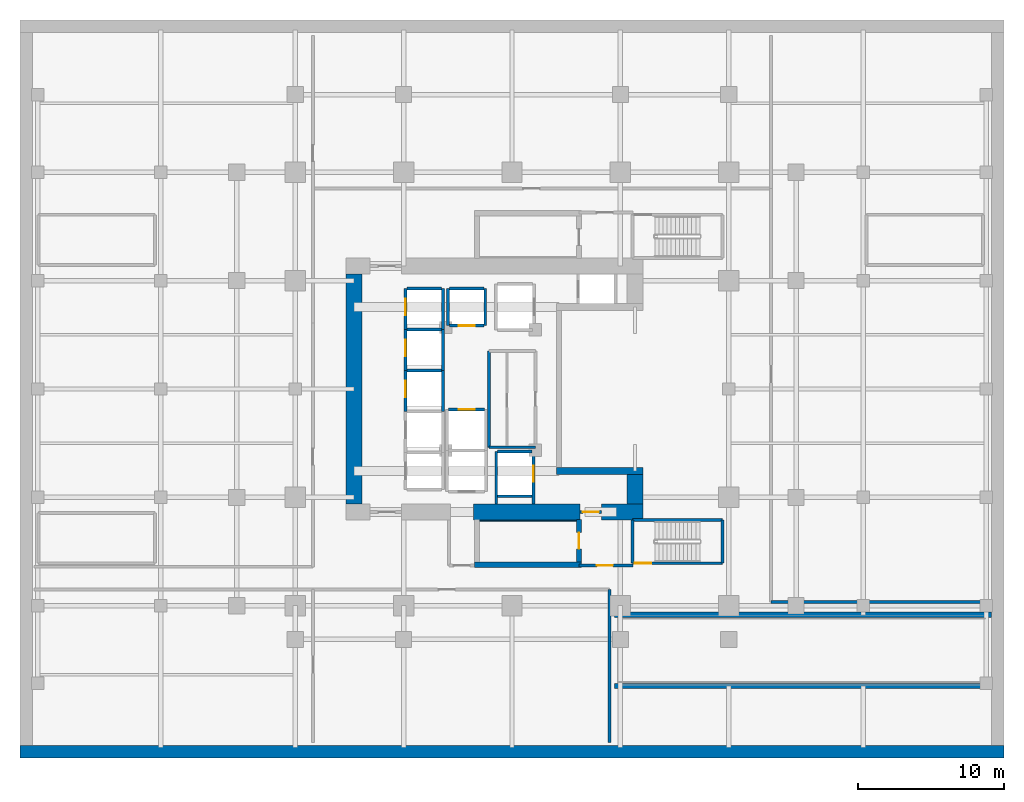
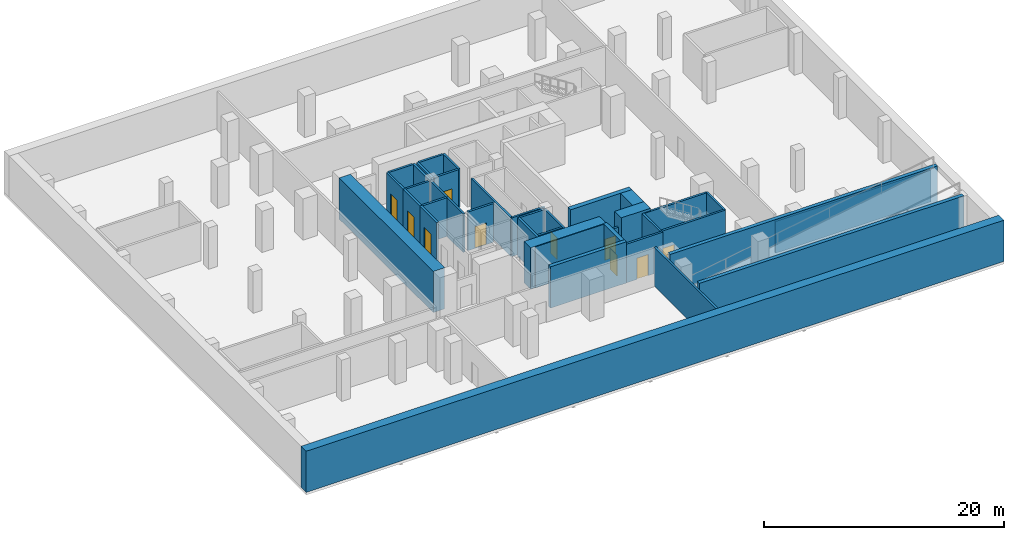
# One storey, part 4 of 7: 39 walls, 10 doors, 10 openings.
"""IFC4 building model written with IfcOpenShell, lengths in metres."""

from ifc_helpers import new_model, si_unit, direction, frame, frame_2d, origin, place, context, subcontext, project, spatial, rectangle, extrude, material, layer, layer_set, type_object, element, fill, save


model = new_model("IFC4")

# Units and contexts
model_context = context("Model", 3, precision=1e-05, world=origin(), true_north=direction((0.0, 1.0)))
body_context = subcontext(model_context, "Body", "Model", "MODEL_VIEW")
ifc_project = project(units=[si_unit("LENGTHUNIT", "METRE"), si_unit("AREAUNIT", "SQUARE_METRE"), si_unit("VOLUMEUNIT", "CUBIC_METRE"), si_unit("PLANEANGLEUNIT", "RADIAN"), si_unit("MASSUNIT", "GRAM", prefix="KILO")], contexts=[model_context])

# Site, building, storey
site_placement = place(None, origin())
site = spatial("IfcSite", under=ifc_project, at=site_placement, CompositionType="ELEMENT")
building_placement = place(site_placement, origin())
building = spatial("IfcBuilding", under=site, at=building_placement, Name="Khorvyn Point Tower", CompositionType="ELEMENT")
storey_placement = place(building_placement, frame((0.0, 0.0, -8.39990234375)))
storey = spatial("IfcBuildingStorey", under=building, at=storey_placement, Name="B2", CompositionType="ELEMENT", Elevation=-8.39990234375)

# Walls
ifc_material_1 = material(Name="Concrete C35/45", Category="concrete")
ifc_layer_1 = layer(ifc_material_1, 0.85009765625)
ifc_layer_set_1 = layer_set([ifc_layer_1], Name="Concrete C35/45 Basement Retaining Wall 850")
wall_type_1 = type_object("IfcWallType", Name="Concrete C35/45 Basement Retaining Wall 850", PredefinedType="SOLIDWALL", material=ifc_layer_set_1)
wall_1_placement = place(storey_placement, frame((-33.60009765625, -24.77490234375, 0.0), z_axis=(0.0, 0.0, 1.0), x_axis=(1.0, 0.0, 0.0)))
element("IfcWall", 1, at=wall_1_placement, inside=storey, type_object=wall_type_1, Name="B2 Basement Retaining Wall S", PredefinedType="SOLIDWALL", context=body_context, shape_type="SweptSolid", body=[
    extrude(rectangle(XDim=67.2001953125, YDim=0.85009765625, at=frame_2d((33.60009765625, 0.0))), origin(), (0.0, 0.0, 1.0), 4.199951171875),
])
ifc_material_2 = material(Name="Concrete C35/45 masonry blockwork", Category="masonry")
ifc_layer_2 = layer(ifc_material_2, 0.199951171875)
ifc_layer_set_2 = layer_set([ifc_layer_2], Name="Concrete C35/45 Blockwork Plant Compartment Wall 200")
wall_type_2 = type_object("IfcWallType", Name="Concrete C35/45 Blockwork Plant Compartment Wall 200", PredefinedType="SOLIDWALL", material=ifc_layer_set_2)
wall_2_placement = place(storey_placement, frame((17.699951171875, -14.550048828125, 0.0), z_axis=(0.0, 0.0, 1.0), x_axis=(1.0, 0.0, 0.0)))
element("IfcWall", 2, at=wall_2_placement, inside=storey, type_object=wall_type_2, Name="Wall", PredefinedType="SOLIDWALL", context=body_context, shape_type="SweptSolid", body=[
    extrude(rectangle(XDim=14.949951171875, YDim=0.199951171875, at=frame_2d((7.47509765625, 0.0))), origin(), (0.0, 0.0, 1.0), 3.22998046875),
])
wall_3_placement = place(storey_placement, frame((6.64990234375, -24.14990234375, 0.0), z_axis=(0.0, 0.0, 1.0), x_axis=(0.0, 1.0, 0.0)))
element("IfcWall", 3, at=wall_3_placement, inside=storey, type_object=wall_type_2, Name="Wall", PredefinedType="SOLIDWALL", context=body_context, shape_type="SweptSolid", body=[
    extrude(rectangle(XDim=10.449951171875, YDim=0.199951171875, at=frame_2d((5.22509765625, 0.0))), origin(), (0.0, 0.0, 1.0), 3.93994140625),
])
ifc_material_3 = material(Name="Concrete C40/50", Category="concrete")
ifc_layer_3 = layer(ifc_material_3, 0.449951171875)
ifc_layer_set_3 = layer_set([ifc_layer_3], Name="Concrete C40/50 Core Shear Wall 450")
wall_type_3 = type_object("IfcWallType", Name="Concrete C40/50 Core Shear Wall 450", PredefinedType="SHEAR", material=ifc_layer_set_3)
wall_4_placement = place(storey_placement, frame((3.044921875, -5.60009765625, 0.0), z_axis=(0.0, 0.0, 1.0), x_axis=(1.0, 0.0, 0.0)))
element("IfcWall", 4, at=wall_4_placement, inside=storey, type_object=wall_type_3, Name="Wall", PredefinedType="SHEAR", context=body_context, shape_type="SweptSolid", body=[
    extrude(rectangle(XDim=5.905029296875, YDim=0.449951171875, at=frame_2d((2.95263671875, 0.0))), origin(), (0.0, 0.0, 1.0), 4.199951171875),
])

# Wall, opening, door
ifc_layer_4 = layer(ifc_material_3, 0.199951171875)
ifc_layer_set_4 = layer_set([ifc_layer_4], Name="Concrete C40/50 Fire-Lobby Compartment Wall 200")
wall_type_4 = type_object("IfcWallType", Name="Concrete C40/50 Fire-Lobby Compartment Wall 200", PredefinedType="SOLIDWALL", material=ifc_layer_set_4)
wall_5_placement = place(storey_placement, frame((4.580078125, -12.06005859375, 0.0), z_axis=(0.0, 0.0, 1.0), x_axis=(1.0, 0.0, 0.0)))
wall_5 = element("IfcWall", 5, at=wall_5_placement, inside=storey, type_object=wall_type_4, Name="Wall", PredefinedType="SOLIDWALL", context=body_context, shape_type="SweptSolid", body=[
    extrude(rectangle(XDim=3.699951171875, YDim=0.199951171875, at=frame_2d((1.85009765625, 0.0))), origin(), (0.0, 0.0, 1.0), 3.93994140625),
])
opening_1_placement = place(wall_5_placement, frame((1.21240234375, 0.0, 0.0)))
opening_1 = element("IfcOpeningElement", 6, at=opening_1_placement, cuts=wall_5, Name="Opening ID-FL90", PredefinedType="OPENING", context=body_context, shape_type="SweptSolid", body=[
    extrude(rectangle(XDim=1.10009765625, YDim=2.14990234375, at=frame_2d((0.550048828125, 1.074951171875))), frame((0.0, 0.10986328125, 0.0), z_axis=(0.0, -1.0, 0.0), x_axis=(1.0, 0.0, 0.0)), (0.0, 0.0, 1.0), 0.219970703125),
])
ifc_material_4 = material(Name="Galvanised powder-coated steel", Category="steel")
door_type_1 = type_object("IfcDoorType", Name="Fire-Rated Steel Lobby and Stair Door 1100x2150", OperationType="NOTDEFINED", PredefinedType="DOOR", material=ifc_material_4)
door_1_placement = place(opening_1_placement, origin())
door_1 = element("IfcDoor", 7, at=door_1_placement, inside=storey, type_object=door_type_1, Name="Door", OperationType="SINGLE_SWING_RIGHT", OverallHeight=2.14990234375, OverallWidth=1.10009765625, PredefinedType="DOOR", context=body_context, shape_type="SweptSolid", body=[
    extrude(rectangle(XDim=1.10009765625, YDim=2.14990234375, at=frame_2d((0.550048828125, 1.074951171875))), frame((0.0, 0.02490234375, 0.0), z_axis=(0.0, -1.0, 0.0), x_axis=(1.0, 0.0, 0.0)), (0.0, 0.0, 1.0), 0.050048828125),
])
fill(opening_1, door_1)

wall_6_placement = place(storey_placement, frame((4.64990234375, -8.39990234375, 0.0), z_axis=(0.0, 0.0, 1.0), x_axis=(1.0, 0.0, 0.0)))
wall_6 = element("IfcWall", 8, at=wall_6_placement, inside=storey, type_object=wall_type_4, Name="Wall", PredefinedType="SOLIDWALL", context=body_context, shape_type="SweptSolid", body=[
    extrude(rectangle(XDim=1.47021484375, YDim=0.199951171875, at=frame_2d((0.735107421875, 0.0))), origin(), (0.0, 0.0, 1.0), 2.97998046875),
])
opening_2_placement = place(wall_6_placement, frame((0.18505859375, 0.0, 0.0)))
opening_2 = element("IfcOpeningElement", 9, at=opening_2_placement, cuts=wall_6, Name="Opening ID-FL90", PredefinedType="OPENING", context=body_context, shape_type="SweptSolid", body=[
    extrude(rectangle(XDim=1.10009765625, YDim=2.14990234375, at=frame_2d((0.550048828125, 1.074951171875))), frame((0.0, 0.10986328125, 0.0), z_axis=(0.0, -1.0, 0.0), x_axis=(1.0, 0.0, 0.0)), (0.0, 0.0, 1.0), 0.219970703125),
])
door_2_placement = place(opening_2_placement, origin())
door_2 = element("IfcDoor", 10, at=door_2_placement, inside=storey, type_object=door_type_1, Name="Door", OperationType="SINGLE_SWING_LEFT", OverallHeight=2.14990234375, OverallWidth=1.10009765625, PredefinedType="DOOR", context=body_context, shape_type="SweptSolid", body=[
    extrude(rectangle(XDim=1.10009765625, YDim=2.14990234375, at=frame_2d((0.550048828125, 1.074951171875))), frame((0.0, 0.02490234375, 0.0), z_axis=(0.0, -1.0, 0.0), x_axis=(1.0, 0.0, 0.0)), (0.0, 0.0, 1.0), 0.050048828125),
])
fill(opening_2, door_2)

# Walls
wall_7_placement = place(storey_placement, frame((-1.580078125, -3.97998046875, 0.0), z_axis=(0.0, 0.0, 1.0), x_axis=(0.0, 1.0, 0.0)))
element("IfcWall", 11, at=wall_7_placement, inside=storey, type_object=wall_type_4, Name="Wall", PredefinedType="SOLIDWALL", context=body_context, shape_type="SweptSolid", body=[
    extrude(rectangle(XDim=6.580078125, YDim=0.199951171875, at=frame_2d((3.2900390625, 0.0))), origin(), (0.0, 0.0, 1.0), 3.93994140625),
])
wall_8_placement = place(storey_placement, frame((-1.580078125, -3.97998046875, 0.0), z_axis=(0.0, 0.0, 1.0), x_axis=(1.0, 0.0, 0.0)))
element("IfcWall", 12, at=wall_8_placement, inside=storey, type_object=wall_type_4, Name="Wall", PredefinedType="SOLIDWALL", context=body_context, shape_type="SweptSolid", body=[
    extrude(rectangle(XDim=3.190185546875, YDim=0.199951171875, at=frame_2d((1.59521484375, 0.0))), origin(), (0.0, 0.0, 1.0), 3.93994140625),
])
ifc_layer_5 = layer(ifc_material_3, 0.25)
ifc_layer_set_5 = layer_set([ifc_layer_5], Name="Concrete C40/50 Stair Inner Cheek Structural Wall 250")
wall_type_5 = type_object("IfcWallType", Name="Concrete C40/50 Stair Inner Cheek Structural Wall 250", PredefinedType="SHEAR", material=ifc_layer_set_5)
wall_9_placement = place(storey_placement, frame((-2.199951171875, -8.987548828125, 0.0), z_axis=(0.0, 0.0, 1.0), x_axis=(1.0, 0.0, 0.0)))
element("IfcWall", 13, at=wall_9_placement, inside=storey, type_object=wall_type_5, Name="Wall", PredefinedType="SHEAR", context=body_context, shape_type="SweptSolid", body=[
    extrude(rectangle(XDim=6.599853515625, YDim=0.074951171875, at=frame_2d((3.2998046875, 0.0))), origin(), (0.0, 0.0, 1.0), 4.199951171875),
])
ifc_layer_6 = layer(ifc_material_3, 0.35009765625)
ifc_layer_set_6 = layer_set([ifc_layer_6], Name="Concrete C40/50 Stair Shaft Structural Wall 350")
wall_type_6 = type_object("IfcWallType", Name="Concrete C40/50 Stair Shaft Structural Wall 350", PredefinedType="SHEAR", material=ifc_layer_set_6)
wall_10_placement = place(storey_placement, frame((7.0, -20.280029296875, 0.0), z_axis=(0.0, 0.0, 1.0), x_axis=(1.0, 0.0, 0.0)))
element("IfcWall", 14, at=wall_10_placement, inside=storey, type_object=wall_type_6, Name="B2 Vehicle Ramp South Structural Cheek Wall", PredefinedType="SHEAR", context=body_context, shape_type="SweptSolid", body=[
    extrude(rectangle(XDim=25.5, YDim=0.35009765625, at=frame_2d((12.75, 0.0))), origin(), (0.0, 0.0, 1.0), 4.199951171875),
])
wall_11_placement = place(storey_placement, frame((7.0, -15.419921875, 0.0), z_axis=(0.0, 0.0, 1.0), x_axis=(1.0, 0.0, 0.0)))
element("IfcWall", 15, at=wall_11_placement, inside=storey, type_object=wall_type_6, Name="B2 Vehicle Ramp North Structural Cheek Wall", PredefinedType="SHEAR", context=body_context, shape_type="SweptSolid", body=[
    extrude(rectangle(XDim=25.75, YDim=0.35009765625, at=frame_2d((12.875, 0.0))), origin(), (0.0, 0.0, 1.0), 4.199951171875),
])
wall_12_placement = place(storey_placement, frame((-2.554931640625, -12.0, 0.0), z_axis=(0.0, 0.0, 1.0), x_axis=(1.0, 0.0, 0.0)))
element("IfcWall", 16, at=wall_12_placement, inside=storey, type_object=wall_type_6, Name="B2 ST-01 South Shaft Wall", PredefinedType="SHEAR", context=body_context, shape_type="SweptSolid", body=[
    extrude(rectangle(XDim=7.309814453125, YDim=0.35009765625, at=frame_2d((3.65478515625, 0.0))), origin(), (0.0, 0.0, 1.0), 4.199951171875),
])

# Wall, opening, door
wall_13_placement = place(storey_placement, frame((4.580078125, -8.89990234375, 0.0), z_axis=(0.0, 0.0, 1.0), x_axis=(0.0, -1.0, 0.0)))
wall_13 = element("IfcWall", 17, at=wall_13_placement, inside=storey, type_object=wall_type_6, Name="B2 ST-01 East Landing Door Wall", PredefinedType="SHEAR", context=body_context, shape_type="SweptSolid", body=[
    extrude(rectangle(XDim=2.925048828125, YDim=0.35009765625, at=frame_2d((1.46240234375, 0.0))), origin(), (0.0, 0.0, 1.0), 4.199951171875),
])
opening_3_placement = place(wall_13_placement, frame((0.91259765625, 0.0, 0.0)))
opening_3 = element("IfcOpeningElement", 18, at=opening_3_placement, cuts=wall_13, Name="Opening ID-FL90", PredefinedType="OPENING", context=body_context, shape_type="SweptSolid", body=[
    extrude(rectangle(XDim=1.10009765625, YDim=2.14990234375, at=frame_2d((0.550048828125, 1.074951171875))), frame((0.0, 0.18505859375, 0.0), z_axis=(0.0, -1.0, 0.0), x_axis=(1.0, 0.0, 0.0)), (0.0, 0.0, 1.0), 0.3701171875),
])
door_3_placement = place(opening_3_placement, origin())
door_3 = element("IfcDoor", 19, at=door_3_placement, inside=storey, type_object=door_type_1, Name="B2 ST-01 Smokeproof Landing Door", OperationType="SINGLE_SWING_LEFT", OverallHeight=2.14990234375, OverallWidth=1.10009765625, PredefinedType="DOOR", context=body_context, shape_type="SweptSolid", body=[
    extrude(rectangle(XDim=1.10009765625, YDim=2.14990234375, at=frame_2d((0.550048828125, 1.074951171875))), frame((0.0, 0.02490234375, 0.0), z_axis=(0.0, -1.0, 0.0), x_axis=(1.0, 0.0, 0.0)), (0.0, 0.0, 1.0), 0.050048828125),
])
fill(opening_3, door_3)

ifc_layer_7 = layer(ifc_material_3, 0.199951171875)
ifc_layer_set_7 = layer_set([ifc_layer_7], Name="Concrete C40/50 Structural Hoistway and Stair Shaft Wall 200")
wall_type_7 = type_object("IfcWallType", Name="Concrete C40/50 Structural Hoistway and Stair Shaft Wall 200", PredefinedType="SHEAR", material=ifc_layer_set_7)
wall_14_placement = place(storey_placement, frame((-7.27490234375, -1.52490234375, 0.0), z_axis=(0.0, 0.0, 1.0), x_axis=(0.0, 1.0, 0.0)))
wall_14 = element("IfcWall", 20, at=wall_14_placement, inside=storey, type_object=wall_type_7, Name="Wall", PredefinedType="SHEAR", context=body_context, shape_type="SweptSolid", body=[
    extrude(rectangle(XDim=2.7998046875, YDim=0.199951171875, at=frame_2d((1.39990234375, 0.0))), origin(), (0.0, 0.0, 1.0), 3.93994140625),
])
opening_4_placement = place(wall_14_placement, frame((0.97509765625, 0.0, 0.0)))
opening_4 = element("IfcOpeningElement", 21, at=opening_4_placement, cuts=wall_14, Name="Opening LD-1122", PredefinedType="OPENING", context=body_context, shape_type="SweptSolid", body=[
    extrude(rectangle(XDim=1.10009765625, YDim=2.199951171875, at=frame_2d((0.550048828125, 1.10009765625))), frame((0.0, 0.10986328125, 0.0), z_axis=(0.0, -1.0, 0.0), x_axis=(1.0, 0.0, 0.0)), (0.0, 0.0, 1.0), 0.219970703125),
])
ifc_material_5 = material(Name="Stainless steel 1.4301", Category="steel")
door_type_2 = type_object("IfcDoorType", Name="Stainless Steel Automatic Sliding Lift Landing Door 1100x2200", OperationType="SLIDING_TO_LEFT", PredefinedType="DOOR", material=ifc_material_5)
door_4_placement = place(opening_4_placement, origin())
door_4 = element("IfcDoor", 22, at=door_4_placement, inside=storey, type_object=door_type_2, Name="B2 RL-03 Sliding Lift Landing Door", OperationType="SLIDING_TO_LEFT", OverallHeight=2.199951171875, OverallWidth=1.10009765625, PredefinedType="DOOR", context=body_context, shape_type="SweptSolid", body=[
    extrude(rectangle(XDim=1.10009765625, YDim=2.199951171875, at=frame_2d((0.550048828125, 1.10009765625))), frame((0.0, 0.02490234375, 0.0), z_axis=(0.0, -1.0, 0.0), x_axis=(1.0, 0.0, 0.0)), (0.0, 0.0, 1.0), 0.050048828125),
])
fill(opening_4, door_4)

# Walls
wall_15_placement = place(storey_placement, frame((-4.72509765625, -1.52490234375, 0.0), z_axis=(0.0, 0.0, 1.0), x_axis=(0.0, 1.0, 0.0)))
element("IfcWall", 23, at=wall_15_placement, inside=storey, type_object=wall_type_7, Name="Wall", PredefinedType="SHEAR", context=body_context, shape_type="SweptSolid", body=[
    extrude(rectangle(XDim=2.7998046875, YDim=0.199951171875, at=frame_2d((1.39990234375, 0.0))), origin(), (0.0, 0.0, 1.0), 3.93994140625),
])
wall_16_placement = place(storey_placement, frame((-7.175048828125, 1.27490234375, 0.0), z_axis=(0.0, 0.0, 1.0), x_axis=(1.0, 0.0, 0.0)))
element("IfcWall", 24, at=wall_16_placement, inside=storey, type_object=wall_type_7, Name="Wall", PredefinedType="SHEAR", context=body_context, shape_type="SweptSolid", body=[
    extrude(rectangle(XDim=2.35009765625, YDim=0.199951171875, at=frame_2d((1.175048828125, 0.0))), origin(), (0.0, 0.0, 1.0), 3.93994140625),
])

# Wall, opening, door
wall_17_placement = place(storey_placement, frame((-7.27490234375, 1.27490234375, 0.0), z_axis=(0.0, 0.0, 1.0), x_axis=(0.0, 1.0, 0.0)))
wall_17 = element("IfcWall", 25, at=wall_17_placement, inside=storey, type_object=wall_type_7, Name="Wall", PredefinedType="SHEAR", context=body_context, shape_type="SweptSolid", body=[
    extrude(rectangle(XDim=2.800048828125, YDim=0.199951171875, at=frame_2d((1.39990234375, 0.0))), origin(), (0.0, 0.0, 1.0), 3.93994140625),
])
opening_5_placement = place(wall_17_placement, frame((0.97509765625, 0.0, 0.0)))
opening_5 = element("IfcOpeningElement", 26, at=opening_5_placement, cuts=wall_17, Name="Opening LD-1122", PredefinedType="OPENING", context=body_context, shape_type="SweptSolid", body=[
    extrude(rectangle(XDim=1.10009765625, YDim=2.199951171875, at=frame_2d((0.550048828125, 1.10009765625))), frame((0.0, 0.10986328125, 0.0), z_axis=(0.0, -1.0, 0.0), x_axis=(1.0, 0.0, 0.0)), (0.0, 0.0, 1.0), 0.219970703125),
])
door_5_placement = place(opening_5_placement, origin())
door_5 = element("IfcDoor", 27, at=door_5_placement, inside=storey, type_object=door_type_2, Name="B2 RM-01 Sliding Lift Landing Door", OperationType="SLIDING_TO_LEFT", OverallHeight=2.199951171875, OverallWidth=1.10009765625, PredefinedType="DOOR", context=body_context, shape_type="SweptSolid", body=[
    extrude(rectangle(XDim=1.10009765625, YDim=2.199951171875, at=frame_2d((0.550048828125, 1.10009765625))), frame((0.0, 0.02490234375, 0.0), z_axis=(0.0, -1.0, 0.0), x_axis=(1.0, 0.0, 0.0)), (0.0, 0.0, 1.0), 0.050048828125),
])
fill(opening_5, door_5)

# Walls
wall_18_placement = place(storey_placement, frame((-4.72509765625, 1.27490234375, 0.0), z_axis=(0.0, 0.0, 1.0), x_axis=(0.0, 1.0, 0.0)))
element("IfcWall", 28, at=wall_18_placement, inside=storey, type_object=wall_type_7, Name="Wall", PredefinedType="SHEAR", context=body_context, shape_type="SweptSolid", body=[
    extrude(rectangle(XDim=2.800048828125, YDim=0.199951171875, at=frame_2d((1.39990234375, 0.0))), origin(), (0.0, 0.0, 1.0), 3.93994140625),
])
wall_19_placement = place(storey_placement, frame((-7.175048828125, 4.074951171875, 0.0), z_axis=(0.0, 0.0, 1.0), x_axis=(1.0, 0.0, 0.0)))
element("IfcWall", 29, at=wall_19_placement, inside=storey, type_object=wall_type_7, Name="Wall", PredefinedType="SHEAR", context=body_context, shape_type="SweptSolid", body=[
    extrude(rectangle(XDim=2.35009765625, YDim=0.199951171875, at=frame_2d((1.175048828125, 0.0))), origin(), (0.0, 0.0, 1.0), 3.93994140625),
])

# Wall, opening, door
wall_20_placement = place(storey_placement, frame((-7.27490234375, 4.074951171875, 0.0), z_axis=(0.0, 0.0, 1.0), x_axis=(0.0, 1.0, 0.0)))
wall_20 = element("IfcWall", 30, at=wall_20_placement, inside=storey, type_object=wall_type_7, Name="Wall", PredefinedType="SHEAR", context=body_context, shape_type="SweptSolid", body=[
    extrude(rectangle(XDim=2.800048828125, YDim=0.199951171875, at=frame_2d((1.39990234375, 0.0))), origin(), (0.0, 0.0, 1.0), 3.93994140625),
])
opening_6_placement = place(wall_20_placement, frame((0.97509765625, 0.0, 0.0)))
opening_6 = element("IfcOpeningElement", 31, at=opening_6_placement, cuts=wall_20, Name="Opening LD-1122", PredefinedType="OPENING", context=body_context, shape_type="SweptSolid", body=[
    extrude(rectangle(XDim=1.10009765625, YDim=2.199951171875, at=frame_2d((0.550048828125, 1.10009765625))), frame((0.0, 0.10986328125, 0.0), z_axis=(0.0, -1.0, 0.0), x_axis=(1.0, 0.0, 0.0)), (0.0, 0.0, 1.0), 0.219970703125),
])
door_6_placement = place(opening_6_placement, origin())
door_6 = element("IfcDoor", 32, at=door_6_placement, inside=storey, type_object=door_type_2, Name="B2 RM-02 Sliding Lift Landing Door", OperationType="SLIDING_TO_LEFT", OverallHeight=2.199951171875, OverallWidth=1.10009765625, PredefinedType="DOOR", context=body_context, shape_type="SweptSolid", body=[
    extrude(rectangle(XDim=1.10009765625, YDim=2.199951171875, at=frame_2d((0.550048828125, 1.10009765625))), frame((0.0, 0.02490234375, 0.0), z_axis=(0.0, -1.0, 0.0), x_axis=(1.0, 0.0, 0.0)), (0.0, 0.0, 1.0), 0.050048828125),
])
fill(opening_6, door_6)

# Walls
wall_21_placement = place(storey_placement, frame((-4.72509765625, 4.074951171875, 0.0), z_axis=(0.0, 0.0, 1.0), x_axis=(0.0, 1.0, 0.0)))
element("IfcWall", 33, at=wall_21_placement, inside=storey, type_object=wall_type_7, Name="Wall", PredefinedType="SHEAR", context=body_context, shape_type="SweptSolid", body=[
    extrude(rectangle(XDim=2.800048828125, YDim=0.199951171875, at=frame_2d((1.39990234375, 0.0))), origin(), (0.0, 0.0, 1.0), 3.93994140625),
])
wall_22_placement = place(storey_placement, frame((-7.175048828125, 6.875, 0.0), z_axis=(0.0, 0.0, 1.0), x_axis=(1.0, 0.0, 0.0)))
element("IfcWall", 34, at=wall_22_placement, inside=storey, type_object=wall_type_7, Name="Wall", PredefinedType="SHEAR", context=body_context, shape_type="SweptSolid", body=[
    extrude(rectangle(XDim=2.35009765625, YDim=0.199951171875, at=frame_2d((1.175048828125, 0.0))), origin(), (0.0, 0.0, 1.0), 3.93994140625),
])
for number, where, z_axis, x_axis, name in (
    (35, (-4.375, 4.324951171875, 0.0), (0.0, 0.0, 1.0), (0.0, 1.0, 0.0), "Wall"),
    (36, (-1.824951171875, 4.324951171875, 0.0), (0.0, 0.0, 1.0), (0.0, 1.0, 0.0), "Wall"),
):
    element("IfcWall", number, at=place(storey_placement, frame(where, z_axis=z_axis, x_axis=x_axis)), inside=storey, type_object=wall_type_7, Name=name, PredefinedType="SHEAR", context=body_context, shape_type="SweptSolid", body=[
        extrude(rectangle(XDim=2.550048828125, YDim=0.199951171875, at=frame_2d((1.27490234375, 0.0))), origin(), (0.0, 0.0, 1.0), 3.93994140625),
    ])

# Wall, opening, door
wall_23_placement = place(storey_placement, frame((-4.27490234375, 4.324951171875, 0.0), z_axis=(0.0, 0.0, 1.0), x_axis=(1.0, 0.0, 0.0)))
wall_23 = element("IfcWall", 37, at=wall_23_placement, inside=storey, type_object=wall_type_7, Name="Wall", PredefinedType="SHEAR", context=body_context, shape_type="SweptSolid", body=[
    extrude(rectangle(XDim=2.349853515625, YDim=0.199951171875, at=frame_2d((1.1748046875, 0.0))), origin(), (0.0, 0.0, 1.0), 3.93994140625),
])
opening_7_placement = place(wall_23_placement, frame((0.625, 0.0, 0.0)))
opening_7 = element("IfcOpeningElement", 38, at=opening_7_placement, cuts=wall_23, Name="Opening LD-1122", PredefinedType="OPENING", context=body_context, shape_type="SweptSolid", body=[
    extrude(rectangle(XDim=1.10009765625, YDim=2.199951171875, at=frame_2d((0.550048828125, 1.10009765625))), frame((0.0, 0.10986328125, 0.0), z_axis=(0.0, -1.0, 0.0), x_axis=(1.0, 0.0, 0.0)), (0.0, 0.0, 1.0), 0.219970703125),
])
door_7_placement = place(opening_7_placement, origin())
door_7 = element("IfcDoor", 39, at=door_7_placement, inside=storey, type_object=door_type_2, Name="B2 RM-03 Sliding Lift Landing Door", OperationType="SLIDING_TO_LEFT", OverallHeight=2.199951171875, OverallWidth=1.10009765625, PredefinedType="DOOR", context=body_context, shape_type="SweptSolid", body=[
    extrude(rectangle(XDim=1.10009765625, YDim=2.199951171875, at=frame_2d((0.550048828125, 1.10009765625))), frame((0.0, 0.02490234375, 0.0), z_axis=(0.0, -1.0, 0.0), x_axis=(1.0, 0.0, 0.0)), (0.0, 0.0, 1.0), 0.050048828125),
])
fill(opening_7, door_7)

# Wall
wall_24_placement = place(storey_placement, frame((-4.27490234375, 6.875, 0.0), z_axis=(0.0, 0.0, 1.0), x_axis=(1.0, 0.0, 0.0)))
element("IfcWall", 40, at=wall_24_placement, inside=storey, type_object=wall_type_7, Name="Wall", PredefinedType="SHEAR", context=body_context, shape_type="SweptSolid", body=[
    extrude(rectangle(XDim=2.349853515625, YDim=0.199951171875, at=frame_2d((1.1748046875, 0.0))), origin(), (0.0, 0.0, 1.0), 3.93994140625),
])

# Wall, opening, door
wall_25_placement = place(storey_placement, frame((-4.324951171875, -1.39990234375, 0.0), z_axis=(0.0, 0.0, 1.0), x_axis=(1.0, 0.0, 0.0)))
wall_25 = element("IfcWall", 41, at=wall_25_placement, inside=storey, type_object=wall_type_7, Name="Wall", PredefinedType="SHEAR", context=body_context, shape_type="SweptSolid", body=[
    extrude(rectangle(XDim=2.449951171875, YDim=0.199951171875, at=frame_2d((1.22509765625, 0.0))), origin(), (0.0, 0.0, 1.0), 3.93994140625),
])
opening_8_placement = place(wall_25_placement, frame((0.675048828125, 0.0, 0.0)))
opening_8 = element("IfcOpeningElement", 42, at=opening_8_placement, cuts=wall_25, Name="Opening LD-1122", PredefinedType="OPENING", context=body_context, shape_type="SweptSolid", body=[
    extrude(rectangle(XDim=1.10009765625, YDim=2.199951171875, at=frame_2d((0.550048828125, 1.10009765625))), frame((0.0, 0.10986328125, 0.0), z_axis=(0.0, -1.0, 0.0), x_axis=(1.0, 0.0, 0.0)), (0.0, 0.0, 1.0), 0.219970703125),
])
door_8_placement = place(opening_8_placement, origin())
door_8 = element("IfcDoor", 43, at=door_8_placement, inside=storey, type_object=door_type_2, Name="B2 RS-02 Sliding Lift Landing Door", OperationType="SLIDING_TO_LEFT", OverallHeight=2.199951171875, OverallWidth=1.10009765625, PredefinedType="DOOR", context=body_context, shape_type="SweptSolid", body=[
    extrude(rectangle(XDim=1.10009765625, YDim=2.199951171875, at=frame_2d((0.550048828125, 1.10009765625))), frame((0.0, 0.02490234375, 0.0), z_axis=(0.0, -1.0, 0.0), x_axis=(1.0, 0.0, 0.0)), (0.0, 0.0, 1.0), 0.050048828125),
])
fill(opening_8, door_8)

# Wall
wall_26_placement = place(storey_placement, frame((-1.074951171875, -7.85009765625, 0.0), z_axis=(0.0, 0.0, 1.0), x_axis=(0.0, 1.0, 0.0)))
element("IfcWall", 44, at=wall_26_placement, inside=storey, type_object=wall_type_7, Name="Wall", PredefinedType="SHEAR", context=body_context, shape_type="SweptSolid", body=[
    extrude(rectangle(XDim=3.5751953125, YDim=0.199951171875, at=frame_2d((1.78759765625, 0.0))), origin(), (0.0, 0.0, 1.0), 3.93994140625),
])

# Wall, opening, door
wall_27_placement = place(storey_placement, frame((1.47509765625, -7.85009765625, 0.0), z_axis=(0.0, 0.0, 1.0), x_axis=(0.0, 1.0, 0.0)))
wall_27 = element("IfcWall", 45, at=wall_27_placement, inside=storey, type_object=wall_type_7, Name="Wall", PredefinedType="SHEAR", context=body_context, shape_type="SweptSolid", body=[
    extrude(rectangle(XDim=3.5751953125, YDim=0.199951171875, at=frame_2d((1.78759765625, 0.0))), origin(), (0.0, 0.0, 1.0), 3.93994140625),
])
opening_9_placement = place(wall_27_placement, frame((1.5, 0.0, 0.0)))
opening_9 = element("IfcOpeningElement", 46, at=opening_9_placement, cuts=wall_27, Name="Opening LD-1122", PredefinedType="OPENING", context=body_context, shape_type="SweptSolid", body=[
    extrude(rectangle(XDim=1.10009765625, YDim=2.199951171875, at=frame_2d((0.550048828125, 1.10009765625))), frame((0.0, 0.10986328125, 0.0), z_axis=(0.0, -1.0, 0.0), x_axis=(1.0, 0.0, 0.0)), (0.0, 0.0, 1.0), 0.219970703125),
])
door_9_placement = place(opening_9_placement, origin())
door_9 = element("IfcDoor", 47, at=door_9_placement, inside=storey, type_object=door_type_2, Name="B2 FF-01 Sliding Lift Landing Door", OperationType="SLIDING_TO_LEFT", OverallHeight=2.199951171875, OverallWidth=1.10009765625, PredefinedType="DOOR", context=body_context, shape_type="SweptSolid", body=[
    extrude(rectangle(XDim=1.10009765625, YDim=2.199951171875, at=frame_2d((0.550048828125, 1.10009765625))), frame((0.0, 0.02490234375, 0.0), z_axis=(0.0, -1.0, 0.0), x_axis=(1.0, 0.0, 0.0)), (0.0, 0.0, 1.0), 0.050048828125),
])
fill(opening_9, door_9)

# Walls
for number, where, z_axis, x_axis, name in (
    (48, (-0.97509765625, -7.324951171875, 0.0), (0.0, 0.0, 1.0), (1.0, 0.0, 0.0), "Wall"),
    (49, (-0.97509765625, -4.27490234375, 0.0), (0.0, 0.0, 1.0), (1.0, 0.0, 0.0), "Wall"),
):
    element("IfcWall", number, at=place(storey_placement, frame(where, z_axis=z_axis, x_axis=x_axis)), inside=storey, type_object=wall_type_7, Name=name, PredefinedType="SHEAR", context=body_context, shape_type="SweptSolid", body=[
        extrude(rectangle(XDim=2.35009765625, YDim=0.199951171875, at=frame_2d((1.175048828125, 0.0))), origin(), (0.0, 0.0, 1.0), 3.93994140625),
    ])
for number, where, z_axis, x_axis, name in (
    (50, (8.219970703125, -11.89990234375, 0.0), (0.0, 0.0, 1.0), (0.0, 1.0, 0.0), "Wall"),
    (51, (14.3798828125, -8.93994140625, 0.0), (0.0, 0.0, 1.0), (0.0, -1.0, 0.0), "Wall"),
):
    element("IfcWall", number, at=place(storey_placement, frame(where, z_axis=z_axis, x_axis=x_axis)), inside=storey, type_object=wall_type_7, Name=name, PredefinedType="SHEAR", context=body_context, shape_type="SweptSolid", body=[
        extrude(rectangle(XDim=2.9599609375, YDim=0.199951171875, at=frame_2d((1.47998046875, 0.0))), origin(), (0.0, 0.0, 1.0), 3.93994140625),
    ])

# Wall, opening, door
wall_28_placement = place(storey_placement, frame((14.3798828125, -11.89990234375, 0.0), z_axis=(0.0, 0.0, 1.0), x_axis=(-1.0, 0.0, 0.0)))
wall_28 = element("IfcWall", 52, at=wall_28_placement, inside=storey, type_object=wall_type_7, Name="Wall", PredefinedType="SHEAR", context=body_context, shape_type="SweptSolid", body=[
    extrude(rectangle(XDim=6.159912109375, YDim=0.199951171875, at=frame_2d((3.080078125, 0.0))), origin(), (0.0, 0.0, 1.0), 3.93994140625),
])
opening_10_placement = place(wall_28_placement, frame((4.8798828125, 0.0, 0.0)))
opening_10 = element("IfcOpeningElement", 53, at=opening_10_placement, cuts=wall_28, Name="Opening ID-FL90", PredefinedType="OPENING", context=body_context, shape_type="SweptSolid", body=[
    extrude(rectangle(XDim=1.10009765625, YDim=2.14990234375, at=frame_2d((0.550048828125, 1.074951171875))), frame((0.0, 0.10986328125, 0.0), z_axis=(0.0, -1.0, 0.0), x_axis=(1.0, 0.0, 0.0)), (0.0, 0.0, 1.0), 0.219970703125),
])
door_10_placement = place(opening_10_placement, origin())
door_10 = element("IfcDoor", 54, at=door_10_placement, inside=storey, type_object=door_type_1, Name="B2 ST-B1 Smokeproof Landing Door", OperationType="SINGLE_SWING_RIGHT", OverallHeight=2.14990234375, OverallWidth=1.10009765625, PredefinedType="DOOR", context=body_context, shape_type="SweptSolid", body=[
    extrude(rectangle(XDim=1.10009765625, YDim=2.14990234375, at=frame_2d((0.550048828125, 1.074951171875))), frame((0.0, 0.02490234375, 0.0), z_axis=(0.0, -1.0, 0.0), x_axis=(1.0, 0.0, 0.0)), (0.0, 0.0, 1.0), 0.050048828125),
])
fill(opening_10, door_10)

# Walls
wall_29_placement = place(storey_placement, frame((8.219970703125, -8.93994140625, 0.0), z_axis=(0.0, 0.0, 1.0), x_axis=(1.0, 0.0, 0.0)))
element("IfcWall", 55, at=wall_29_placement, inside=storey, type_object=wall_type_7, Name="Wall", PredefinedType="SHEAR", context=body_context, shape_type="SweptSolid", body=[
    extrude(rectangle(XDim=6.159912109375, YDim=0.199951171875, at=frame_2d((3.080078125, 0.0))), origin(), (0.0, 0.0, 1.0), 3.93994140625),
])
ifc_material_6 = material(Name="Concrete C50/60", Category="concrete")
ifc_layer_8 = layer(ifc_material_6, 1.10009765625)
ifc_layer_set_8 = layer_set([ifc_layer_8], Name="Concrete C50/60 Core Shear Wall 1100")
wall_type_8 = type_object("IfcWallType", Name="Concrete C50/60 Core Shear Wall 1100", PredefinedType="SHEAR", material=ifc_layer_set_8)
wall_30_placement = place(storey_placement, frame((-2.6201171875, -8.39990234375, 0.0), z_axis=(0.0, 0.0, 1.0), x_axis=(1.0, 0.0, 0.0)))
element("IfcWall", 56, at=wall_30_placement, inside=storey, type_object=wall_type_8, Name="Wall", PredefinedType="SHEAR", context=body_context, shape_type="SweptSolid", body=[
    extrude(rectangle(XDim=7.27001953125, YDim=1.10009765625, at=frame_2d((3.635009765625, 0.0))), origin(), (0.0, 0.0, 1.0), 4.199951171875),
])
wall_31_placement = place(storey_placement, frame((6.1201171875, -8.39990234375, 0.0), z_axis=(0.0, 0.0, 1.0), x_axis=(1.0, 0.0, 0.0)))
element("IfcWall", 57, at=wall_31_placement, inside=storey, type_object=wall_type_8, Name="Wall", PredefinedType="SHEAR", context=body_context, shape_type="SweptSolid", body=[
    extrude(rectangle(XDim=2.829833984375, YDim=1.10009765625, at=frame_2d((1.4150390625, 0.0))), origin(), (0.0, 0.0, 1.0), 4.199951171875),
])
wall_32_placement = place(storey_placement, frame((-10.800048828125, -7.85009765625, 0.0), z_axis=(0.0, 0.0, 1.0), x_axis=(0.0, 1.0, 0.0)))
element("IfcWall", 58, at=wall_32_placement, inside=storey, type_object=wall_type_8, Name="Wall", PredefinedType="SHEAR", context=body_context, shape_type="SweptSolid", body=[
    extrude(rectangle(XDim=15.7001953125, YDim=1.10009765625, at=frame_2d((7.85009765625, 0.0))), origin(), (0.0, 0.0, 1.0), 4.199951171875),
])
wall_33_placement = place(storey_placement, frame((8.39990234375, -7.85009765625, 0.0), z_axis=(0.0, 0.0, 1.0), x_axis=(0.0, 1.0, 0.0)))
element("IfcWall", 59, at=wall_33_placement, inside=storey, type_object=wall_type_8, Name="Wall", PredefinedType="SHEAR", context=body_context, shape_type="SweptSolid", body=[
    extrude(rectangle(XDim=2.025146484375, YDim=1.10009765625, at=frame_2d((1.0126953125, 0.0))), origin(), (0.0, 0.0, 1.0), 4.199951171875),
])

save(model, "model.ifc")
